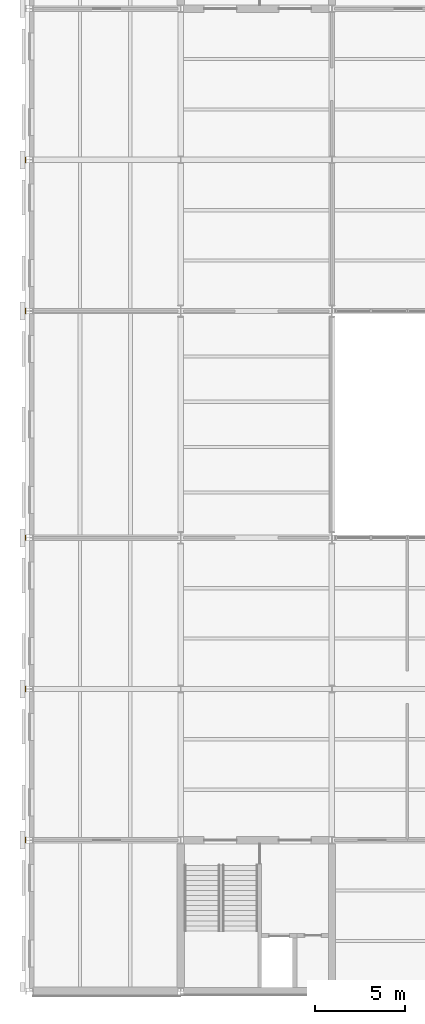
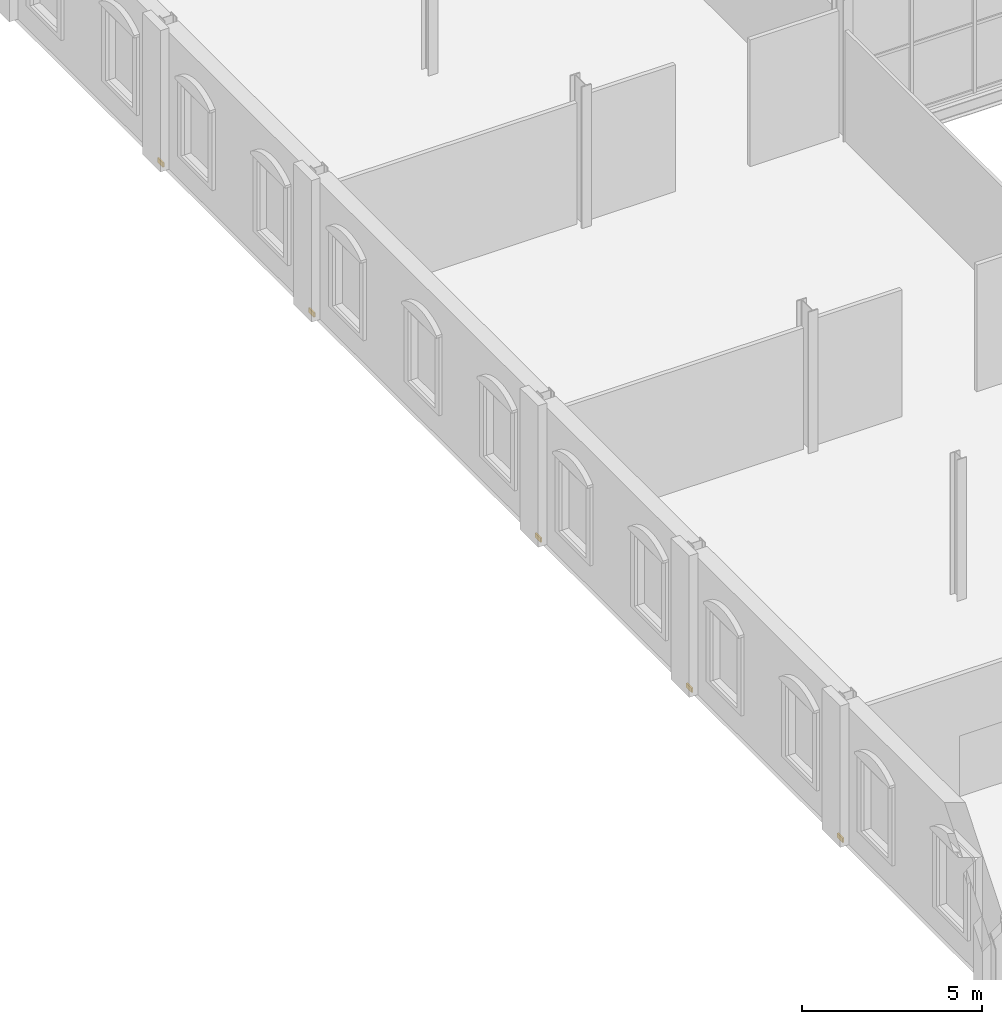
# One storey, part 53 of 57: 5 coverings.
"""IFC4 building model written with IfcOpenShell, lengths in metres."""

from ifc_helpers import new_model, si_unit, direction, frame, origin, origin_2d, place, context, subcontext, project, spatial, rectangle, extrude, material, layer, layer_set, type_object, element, save


model = new_model("IFC4")

# Units and contexts
model_context = context("Model", 3, precision=1e-05, world=origin(), true_north=direction((0.0, 1.0)))
body_context = subcontext(model_context, "Body", "Model", "MODEL_VIEW")
ifc_project = project(units=[si_unit("LENGTHUNIT", "METRE"), si_unit("AREAUNIT", "SQUARE_METRE"), si_unit("VOLUMEUNIT", "CUBIC_METRE"), si_unit("PLANEANGLEUNIT", "RADIAN"), si_unit("MASSUNIT", "GRAM", prefix="KILO")], contexts=[model_context])

# Site, building, storey
site_placement = place(None, origin())
site = spatial("IfcSite", under=ifc_project, at=site_placement, CompositionType="ELEMENT")
building_placement = place(site_placement, origin())
building = spatial("IfcBuilding", under=site, at=building_placement, Name="Galleria Vessillo Department Store", CompositionType="ELEMENT")
storey_placement = place(building_placement, frame((0.0, 0.0, 21.0)))
storey = spatial("IfcBuildingStorey", under=building, at=storey_placement, Name="L04", CompositionType="ELEMENT", Elevation=21.0)

# Coverings
ifc_material = material(Name="Botticino limestone ashlar", Category="masonry")
ifc_layer = layer(ifc_material, 0.14990234375)
ifc_layer_set = layer_set([ifc_layer], Name="Botticino limestone ashlar")
covering_type = type_object("IfcCoveringType", Name="Limestone slab-edge fascia 150 mm", PredefinedType="CLADDING", material=ifc_layer_set)
for number, where, z_axis, x_axis, name in (
    (1, (-0.22509765625, 8.39990234375, -0.14990234375), (0.0, 0.0, 1.0), (1.0, 0.0, 0.0), "Joint block Slab-edge fascia SW-L03-01"),
    (2, (-0.22509765625, 16.800048828125, -0.14990234375), (0.0, 0.0, 1.0), (1.0, 0.0, 0.0), "Joint block Slab-edge fascia SW-L03-02"),
    (3, (-0.22509765625, 25.199951171875, -0.14990234375), (0.0, 0.0, 1.0), (1.0, 0.0, 0.0), "Joint block Slab-edge fascia SW-L03-03"),
    (4, (-0.22509765625, 37.800048828125, -0.14990234375), (0.0, 0.0, 1.0), (1.0, 0.0, 0.0), "Joint block Slab-edge fascia SW-L03-04"),
    (5, (-0.22509765625, 46.199951171875, -0.14990234375), (0.0, 0.0, 1.0), (1.0, 0.0, 0.0), "Joint block Slab-edge fascia SW-L03-05"),
):
    element("IfcCovering", number, at=place(storey_placement, frame(where, z_axis=z_axis, x_axis=x_axis)), inside=storey, type_object=covering_type, Name=name, PredefinedType="CLADDING", context=body_context, shape_type="SweptSolid", body=[
        extrude(rectangle(XDim=0.050048828125, YDim=0.300048828125, at=origin_2d()), origin(), (0.0, 0.0, 1.0), 0.14990234375),
    ])

save(model, "model.ifc")
